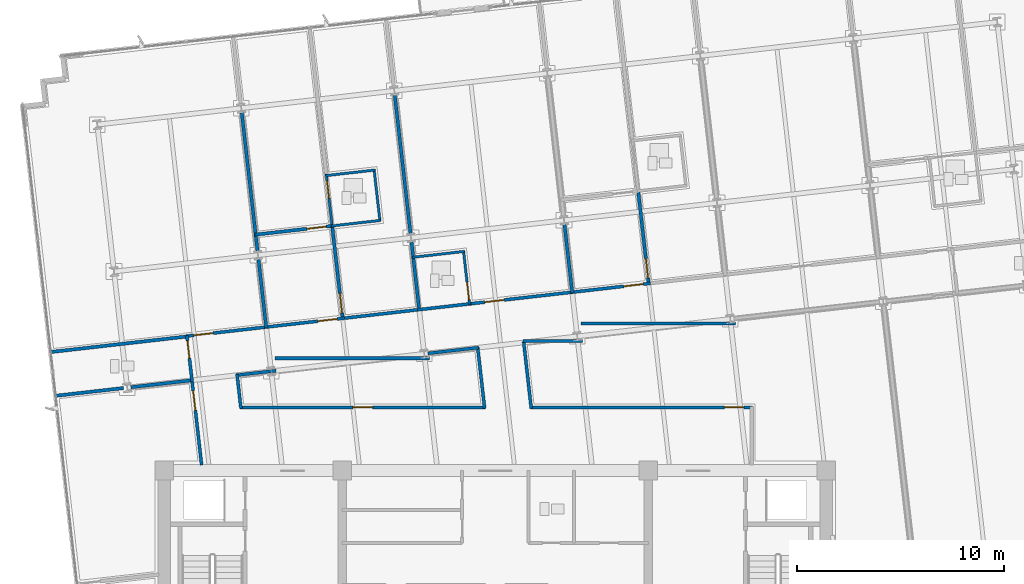
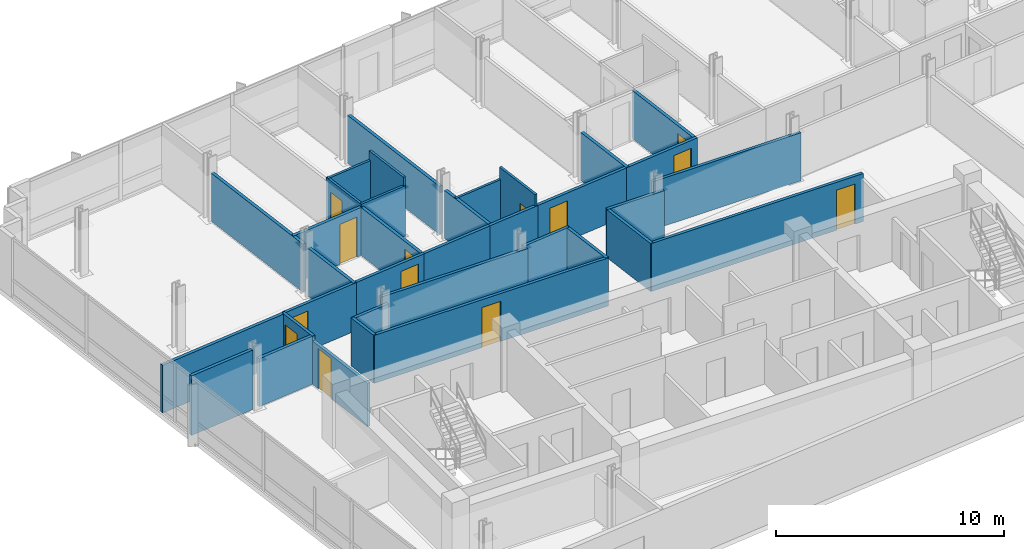
# One storey, part 9 of 16: 35 walls, 13 doors, 13 openings.
"""IFC4 building model written with IfcOpenShell, lengths in metres."""

from ifc_helpers import new_model, si_unit, direction, frame, frame_2d, origin, place, context, subcontext, project, spatial, rectangle, extrude, material, layer, layer_set, type_object, element, fill, save


model = new_model("IFC4")

# Units and contexts
model_context = context("Model", 3, precision=1e-05, world=origin(), true_north=direction((0.0, 1.0)))
body_context = subcontext(model_context, "Body", "Model", "MODEL_VIEW")
ifc_project = project(units=[si_unit("LENGTHUNIT", "METRE"), si_unit("AREAUNIT", "SQUARE_METRE"), si_unit("VOLUMEUNIT", "CUBIC_METRE"), si_unit("PLANEANGLEUNIT", "RADIAN"), si_unit("MASSUNIT", "GRAM", prefix="KILO")], contexts=[model_context])

# Site, building, storey
site_placement = place(None, origin())
site = spatial("IfcSite", under=ifc_project, at=site_placement, CompositionType="ELEMENT")
building_placement = place(site_placement, origin())
building = spatial("IfcBuilding", under=site, at=building_placement, Name="Solmavex Isthmus Hotel", CompositionType="ELEMENT")
storey_placement = place(building_placement, frame((0.0, 0.0, 205.5)))
storey = spatial("IfcBuildingStorey", under=building, at=storey_placement, Name="L55", CompositionType="ELEMENT", Elevation=205.5)

# Walls
ifc_material_1 = material(Name="Gypsum plasterboard lining", Category="gypsum")
ifc_layer_1 = layer(ifc_material_1, 0.159912109375)
ifc_layer_set_1 = layer_set([ifc_layer_1], Name="Gypsum plasterboard lining")
wall_type_1 = type_object("IfcWallType", Name="IW-COMP-160", PredefinedType="PARTITIONING", material=ifc_layer_set_1)
wall_1_placement = place(storey_placement, frame((-12.262939453125, 14.84326171875, 0.0), z_axis=(0.0, 0.0, 1.0), x_axis=(0.113177968069, -0.993574731736, 0.0)))
element("IfcWall", 1, at=wall_1_placement, inside=storey, type_object=wall_type_1, Name="Interior Partition Wall W-L55-P026", PredefinedType="PARTITIONING", context=body_context, shape_type="SweptSolid", body=[
    extrude(rectangle(XDim=6.79931640625, YDim=0.159912109375, at=frame_2d((3.399658203125, 0.0))), origin(), (0.0, 0.0, 1.0), 2.572265625),
])
wall_2_placement = place(storey_placement, frame((-11.453369140625, 7.737060546875, 0.0), z_axis=(0.0, 0.0, 1.0), x_axis=(0.113229088195, -0.993568907317, 0.0)))
element("IfcWall", 2, at=wall_2_placement, inside=storey, type_object=wall_type_1, Name="Interior Partition Wall W-L55-P027", PredefinedType="PARTITIONING", context=body_context, shape_type="SweptSolid", body=[
    extrude(rectangle(XDim=3.361572265625, YDim=0.159912109375, at=frame_2d((1.6806640625, 0.0))), origin(), (0.0, 0.0, 1.0), 2.572265625),
])
wall_3_placement = place(storey_placement, frame((-14.86865234375, 3.98486328125, 0.0), z_axis=(0.0, 0.0, 1.0), x_axis=(-0.993568743641, -0.113230524415, 0.0)))
element("IfcWall", 3, at=wall_3_placement, inside=storey, type_object=wall_type_1, Name="Interior Partition Wall W-L55-P029", PredefinedType="PARTITIONING", context=body_context, shape_type="SweptSolid", body=[
    extrude(rectangle(XDim=6.7099609375, YDim=0.159912109375, at=frame_2d((3.35498046875, 0.0))), origin(), (0.0, 0.0, 1.0), 2.5576171875),
])

# Wall, opening, door
wall_4_placement = place(storey_placement, frame((-11.626220703125, 8.9013671875, 0.0), z_axis=(0.0, 0.0, 1.0), x_axis=(0.993567388358, 0.113242416041, 0.0)))
wall_4 = element("IfcWall", 4, at=wall_4_placement, inside=storey, type_object=wall_type_1, Name="Interior Partition Wall W-L55-P030", PredefinedType="PARTITIONING", context=body_context, shape_type="SweptSolid", body=[
    extrude(rectangle(XDim=3.802978515625, YDim=0.159912109375, at=frame_2d((1.9013671875, 0.0))), origin(), (0.0, 0.0, 1.0), 2.572265625),
])
opening_1_placement = place(wall_4_placement, frame((2.52099609375, 0.0, 0.0)))
opening_1 = element("IfcOpeningElement", 5, at=opening_1_placement, cuts=wall_4, Name="Opening ID-C095", PredefinedType="OPENING", context=body_context, shape_type="SweptSolid", body=[
    extrude(rectangle(XDim=0.949951171875, YDim=2.14990234375, at=frame_2d((0.47509765625, 1.074951171875))), frame((0.0, 0.08984375, 0.0), z_axis=(0.0, -1.0, 0.0), x_axis=(1.0, 0.0, 0.0)), (0.0, 0.0, 1.0), 0.179931640625),
])
ifc_material_2 = material(Name="Hardwood timber", Category="wood")
door_type_1 = type_object("IfcDoorType", Name="IDR-FD60-0950", OperationType="NOTDEFINED", PredefinedType="DOOR", material=ifc_material_2)
door_1_placement = place(opening_1_placement, origin())
door_1 = element("IfcDoor", 6, at=door_1_placement, inside=storey, type_object=door_type_1, Name="Premier Hospitality Suite Master Bedroom Door L55-03", OperationType="SINGLE_SWING_LEFT", OverallHeight=2.14990234375, OverallWidth=0.949951171875, PredefinedType="DOOR", context=body_context, shape_type="SweptSolid", body=[
    extrude(rectangle(XDim=0.949951171875, YDim=2.14990234375, at=frame_2d((0.47509765625, 1.074951171875))), frame((0.0, 0.02490234375, 0.0), z_axis=(0.0, -1.0, 0.0), x_axis=(1.0, 0.0, 0.0)), (0.0, 0.0, 1.0), 0.050048828125),
])
fill(opening_1, door_1)

wall_5_placement = place(storey_placement, frame((-7.89208984375, 9.3671875, 0.0), z_axis=(0.0, 0.0, 1.0), x_axis=(0.113217200695, -0.993570261968, 0.0)))
wall_5 = element("IfcWall", 7, at=wall_5_placement, inside=storey, type_object=wall_type_1, Name="Interior Partition Wall W-L55-P031", PredefinedType="PARTITIONING", context=body_context, shape_type="SweptSolid", body=[
    extrude(rectangle(XDim=4.578125, YDim=0.159912109375, at=frame_2d((2.2890625, 0.0))), origin(), (0.0, 0.0, 1.0), 2.572265625),
])
opening_2_placement = place(wall_5_placement, frame((3.3251953125, 0.0, 0.0)))
opening_2 = element("IfcOpeningElement", 8, at=opening_2_placement, cuts=wall_5, Name="Opening ID-C095", PredefinedType="OPENING", context=body_context, shape_type="SweptSolid", body=[
    extrude(rectangle(XDim=0.949951171875, YDim=2.14990234375, at=frame_2d((0.47509765625, 1.074951171875))), frame((0.0, 0.08984375, 0.0), z_axis=(0.0, -1.0, 0.0), x_axis=(1.0, 0.0, 0.0)), (0.0, 0.0, 1.0), 0.179931640625),
])
door_2_placement = place(opening_2_placement, origin())
door_2 = element("IfcDoor", 9, at=door_2_placement, inside=storey, type_object=door_type_1, Name="Premier Hospitality Suite Living Lounge Door L55-04", OperationType="SINGLE_SWING_RIGHT", OverallHeight=2.14990234375, OverallWidth=0.949951171875, PredefinedType="DOOR", context=body_context, shape_type="SweptSolid", body=[
    extrude(rectangle(XDim=0.949951171875, YDim=2.14990234375, at=frame_2d((0.47509765625, 1.074951171875))), frame((0.0, 0.02490234375, 0.0), z_axis=(0.0, -1.0, 0.0), x_axis=(1.0, 0.0, 0.0)), (0.0, 0.0, 1.0), 0.050048828125),
])
fill(opening_2, door_2)

# Walls
wall_6_placement = place(storey_placement, frame((-4.864990234375, 15.68603515625, 0.0), z_axis=(0.0, 0.0, 1.0), x_axis=(0.11321341463, -0.993570693382, 0.0)))
element("IfcWall", 10, at=wall_6_placement, inside=storey, type_object=wall_type_1, Name="Interior Partition Wall W-L55-P038", PredefinedType="PARTITIONING", context=body_context, shape_type="SweptSolid", body=[
    extrude(rectangle(XDim=6.79931640625, YDim=0.159912109375, at=frame_2d((3.399658203125, 0.0))), origin(), (0.0, 0.0, 1.0), 2.572265625),
])
for number, where, z_axis, x_axis, name in (
    (11, (-4.05517578125, 8.580078125, 0.0), (0.0, 0.0, 1.0), (0.113149223935, -0.993578005555, 0.0), "Interior Partition Wall W-L55-P039"),
    (12, (3.3427734375, 9.4228515625, 0.0), (0.0, 0.0, 1.0), (0.113229088195, -0.993568907317, 0.0), "Interior Partition Wall W-L55-P043"),
):
    element("IfcWall", number, at=place(storey_placement, frame(where, z_axis=z_axis, x_axis=x_axis)), inside=storey, type_object=wall_type_1, Name=name, PredefinedType="PARTITIONING", context=body_context, shape_type="SweptSolid", body=[
        extrude(rectangle(XDim=3.361572265625, YDim=0.159912109375, at=frame_2d((1.6806640625, 0.0))), origin(), (0.0, 0.0, 1.0), 2.572265625),
    ])

# Wall, opening, door
wall_7_placement = place(storey_placement, frame((6.904296875, 11.052978515625, 0.0), z_axis=(0.0, 0.0, 1.0), x_axis=(0.113164554921, -0.993576259534, 0.0)))
wall_7 = element("IfcWall", 13, at=wall_7_placement, inside=storey, type_object=wall_type_1, Name="Interior Partition Wall W-L55-P046", PredefinedType="PARTITIONING", context=body_context, shape_type="SweptSolid", body=[
    extrude(rectangle(XDim=4.577880859375, YDim=0.159912109375, at=frame_2d((2.2890625, 0.0))), origin(), (0.0, 0.0, 1.0), 2.572265625),
])
opening_3_placement = place(wall_7_placement, frame((3.3251953125, 0.0, 0.0)))
opening_3 = element("IfcOpeningElement", 14, at=opening_3_placement, cuts=wall_7, Name="Opening ID-C095", PredefinedType="OPENING", context=body_context, shape_type="SweptSolid", body=[
    extrude(rectangle(XDim=0.949951171875, YDim=2.14990234375, at=frame_2d((0.47509765625, 1.074951171875))), frame((0.0, 0.08984375, 0.0), z_axis=(0.0, -1.0, 0.0), x_axis=(1.0, 0.0, 0.0)), (0.0, 0.0, 1.0), 0.179931640625),
])
door_3_placement = place(opening_3_placement, origin())
door_3 = element("IfcDoor", 15, at=door_3_placement, inside=storey, type_object=door_type_1, Name="Diplomatic Suite Living Lounge Door L55-10", OperationType="SINGLE_SWING_RIGHT", OverallHeight=2.14990234375, OverallWidth=0.949951171875, PredefinedType="DOOR", context=body_context, shape_type="SweptSolid", body=[
    extrude(rectangle(XDim=0.949951171875, YDim=2.14990234375, at=frame_2d((0.47509765625, 1.074951171875))), frame((0.0, 0.02490234375, 0.0), z_axis=(0.0, -1.0, 0.0), x_axis=(1.0, 0.0, 0.0)), (0.0, 0.0, 1.0), 0.050048828125),
])
fill(opening_3, door_3)

# Walls
wall_8_placement = place(storey_placement, frame((-17.97216796875, 1.4873046875, 0.0), z_axis=(0.0, 0.0, 1.0), x_axis=(-0.993575433752, -0.113171804991, 0.0)))
element("IfcWall", 16, at=wall_8_placement, inside=storey, type_object=wall_type_1, Name="Interior Partition Wall W-L55-P066", PredefinedType="PARTITIONING", context=body_context, shape_type="SweptSolid", body=[
    extrude(rectangle(XDim=3.34375, YDim=0.159912109375, at=frame_2d((1.671875, 0.0))), origin(), (0.0, 0.0, 1.0), 3.18994140625),
])
wall_9_placement = place(storey_placement, frame((-14.62744140625, 1.868408203125, 0.0), z_axis=(0.0, 0.0, 1.0), x_axis=(-0.993574646464, -0.113178716659, 0.0)))
element("IfcWall", 17, at=wall_9_placement, inside=storey, type_object=wall_type_1, Name="Interior Partition Wall W-L55-P067", PredefinedType="PARTITIONING", context=body_context, shape_type="SweptSolid", body=[
    extrude(rectangle(XDim=3.013427734375, YDim=0.159912109375, at=frame_2d((1.5068359375, 0.0))), origin(), (0.0, 0.0, 1.0), 2.572265625),
])

# Wall, opening, door
ifc_layer_2 = layer(ifc_material_1, 0.14990234375)
ifc_layer_set_2 = layer_set([ifc_layer_2], Name="Gypsum plasterboard lining")
wall_type_2 = type_object("IfcWallType", Name="IW-CORR-150", PredefinedType="PARTITIONING", material=ifc_layer_set_2)
wall_10_placement = place(storey_placement, frame((-14.950439453125, 3.99560546875, 0.0), z_axis=(0.0, 0.0, 1.0), x_axis=(0.993575504711, 0.11317118201, 0.0)))
wall_10 = element("IfcWall", 18, at=wall_10_placement, inside=storey, type_object=wall_type_2, Name="Interior Partition Wall W-L55-P001", PredefinedType="PARTITIONING", context=body_context, shape_type="SweptSolid", body=[
    extrude(rectangle(XDim=3.980224609375, YDim=0.14990234375, at=frame_2d((1.990234375, 0.0))), origin(), (0.0, 0.0, 1.0), 2.572265625),
])
opening_4_placement = place(wall_10_placement, frame((0.368408203125, 0.0, 0.0)))
opening_4 = element("IfcOpeningElement", 19, at=opening_4_placement, cuts=wall_10, Name="Opening ID-C095", PredefinedType="OPENING", context=body_context, shape_type="SweptSolid", body=[
    extrude(rectangle(XDim=0.949951171875, YDim=2.14990234375, at=frame_2d((0.47509765625, 1.074951171875))), frame((0.0, 0.0849609375, 0.0), z_axis=(0.0, -1.0, 0.0), x_axis=(1.0, 0.0, 0.0)), (0.0, 0.0, 1.0), 0.169921875),
])
door_4_placement = place(opening_4_placement, origin())
door_4 = element("IfcDoor", 20, at=door_4_placement, inside=storey, type_object=door_type_1, Name="Executive Hospitality Lounge Door L55-01", OperationType="SINGLE_SWING_LEFT", OverallHeight=2.14990234375, OverallWidth=0.949951171875, PredefinedType="DOOR", context=body_context, shape_type="SweptSolid", body=[
    extrude(rectangle(XDim=0.949951171875, YDim=2.14990234375, at=frame_2d((0.47509765625, 1.074951171875))), frame((0.0, 0.02490234375, 0.0), z_axis=(0.0, -1.0, 0.0), x_axis=(1.0, 0.0, 0.0)), (0.0, 0.0, 1.0), 0.050048828125),
])
fill(opening_4, door_4)

wall_11_placement = place(storey_placement, frame((-11.158935546875, 4.427490234375, 0.0), z_axis=(0.0, 0.0, 1.0), x_axis=(0.993567244528, 0.113243677975, 0.0)))
wall_11 = element("IfcWall", 21, at=wall_11_placement, inside=storey, type_object=wall_type_2, Name="Interior Partition Wall W-L55-P002", PredefinedType="PARTITIONING", context=body_context, shape_type="SweptSolid", body=[
    extrude(rectangle(XDim=3.886962890625, YDim=0.14990234375, at=frame_2d((1.943359375, 0.0))), origin(), (0.0, 0.0, 1.0), 2.572265625),
])
opening_5_placement = place(wall_11_placement, frame((2.587890625, 0.0, 0.0)))
opening_5 = element("IfcOpeningElement", 22, at=opening_5_placement, cuts=wall_11, Name="Opening ID-C095", PredefinedType="OPENING", context=body_context, shape_type="SweptSolid", body=[
    extrude(rectangle(XDim=0.949951171875, YDim=2.14990234375, at=frame_2d((0.47509765625, 1.074951171875))), frame((0.0, 0.0849609375, 0.0), z_axis=(0.0, -1.0, 0.0), x_axis=(1.0, 0.0, 0.0)), (0.0, 0.0, 1.0), 0.169921875),
])
door_5_placement = place(opening_5_placement, origin())
door_5 = element("IfcDoor", 23, at=door_5_placement, inside=storey, type_object=door_type_1, Name="Premier Hospitality Suite Entrance Hall Door L55-02", OperationType="SINGLE_SWING_RIGHT", OverallHeight=2.14990234375, OverallWidth=0.949951171875, PredefinedType="DOOR", context=body_context, shape_type="SweptSolid", body=[
    extrude(rectangle(XDim=0.949951171875, YDim=2.14990234375, at=frame_2d((0.47509765625, 1.074951171875))), frame((0.0, 0.02490234375, 0.0), z_axis=(0.0, -1.0, 0.0), x_axis=(1.0, 0.0, 0.0)), (0.0, 0.0, 1.0), 0.050048828125),
])
fill(opening_5, door_5)

# Wall
wall_12_placement = place(storey_placement, frame((-7.459716796875, 4.84912109375, 0.0), z_axis=(0.0, 0.0, 1.0), x_axis=(0.993573504889, 0.113188737881, 0.0)))
element("IfcWall", 24, at=wall_12_placement, inside=storey, type_object=wall_type_2, Name="Interior Partition Wall W-L55-P003", PredefinedType="PARTITIONING", context=body_context, shape_type="SweptSolid", body=[
    extrude(rectangle(XDim=3.88671875, YDim=0.14990234375, at=frame_2d((1.943359375, 0.0))), origin(), (0.0, 0.0, 1.0), 2.572265625),
])

# Wall, opening, door
wall_13_placement = place(storey_placement, frame((-1.326416015625, 5.5478515625, 0.0), z_axis=(0.0, 0.0, 1.0), x_axis=(0.993569374626, 0.113224987546, 0.0)))
wall_13 = element("IfcWall", 25, at=wall_13_placement, inside=storey, type_object=wall_type_2, Name="Interior Partition Wall W-L55-P004", PredefinedType="PARTITIONING", context=body_context, shape_type="SweptSolid", body=[
    extrude(rectangle(XDim=5.159912109375, YDim=0.14990234375, at=frame_2d((2.580078125, 0.0))), origin(), (0.0, 0.0, 1.0), 2.572265625),
])
opening_6_placement = place(wall_13_placement, frame((0.82470703125, 0.0, 0.0)))
opening_6 = element("IfcOpeningElement", 26, at=opening_6_placement, cuts=wall_13, Name="Opening ID-C095", PredefinedType="OPENING", context=body_context, shape_type="SweptSolid", body=[
    extrude(rectangle(XDim=0.949951171875, YDim=2.14990234375, at=frame_2d((0.47509765625, 1.074951171875))), frame((0.0, 0.0849609375, 0.0), z_axis=(0.0, -1.0, 0.0), x_axis=(1.0, 0.0, 0.0)), (0.0, 0.0, 1.0), 0.169921875),
])
door_6_placement = place(opening_6_placement, origin())
door_6 = element("IfcDoor", 27, at=door_6_placement, inside=storey, type_object=door_type_1, Name="Junior Suite Door L55-06", OperationType="SINGLE_SWING_RIGHT", OverallHeight=2.14990234375, OverallWidth=0.949951171875, PredefinedType="DOOR", context=body_context, shape_type="SweptSolid", body=[
    extrude(rectangle(XDim=0.949951171875, YDim=2.14990234375, at=frame_2d((0.47509765625, 1.074951171875))), frame((0.0, 0.02490234375, 0.0), z_axis=(0.0, -1.0, 0.0), x_axis=(1.0, 0.0, 0.0)), (0.0, 0.0, 1.0), 0.050048828125),
])
fill(opening_6, door_6)

# Wall
wall_14_placement = place(storey_placement, frame((-3.7607421875, 5.2705078125, 0.0), z_axis=(0.0, 0.0, 1.0), x_axis=(0.993572349416, 0.113198880193, 0.0)))
element("IfcWall", 28, at=wall_14_placement, inside=storey, type_object=wall_type_2, Name="Interior Partition Wall W-L55-P005", PredefinedType="PARTITIONING", context=body_context, shape_type="SweptSolid", body=[
    extrude(rectangle(XDim=2.614013671875, YDim=0.14990234375, at=frame_2d((1.30712890625, 0.0))), origin(), (0.0, 0.0, 1.0), 2.572265625),
])

# Wall, opening, door
wall_15_placement = place(storey_placement, frame((3.637451171875, 6.11328125, 0.0), z_axis=(0.0, 0.0, 1.0), x_axis=(0.993567244528, 0.113243677975, 0.0)))
wall_15 = element("IfcWall", 29, at=wall_15_placement, inside=storey, type_object=wall_type_2, Name="Interior Partition Wall W-L55-P006", PredefinedType="PARTITIONING", context=body_context, shape_type="SweptSolid", body=[
    extrude(rectangle(XDim=3.886962890625, YDim=0.14990234375, at=frame_2d((1.943359375, 0.0))), origin(), (0.0, 0.0, 1.0), 2.572265625),
])
opening_7_placement = place(wall_15_placement, frame((2.587890625, 0.0, 0.0)))
opening_7 = element("IfcOpeningElement", 30, at=opening_7_placement, cuts=wall_15, Name="Opening ID-C095", PredefinedType="OPENING", context=body_context, shape_type="SweptSolid", body=[
    extrude(rectangle(XDim=0.949951171875, YDim=2.14990234375, at=frame_2d((0.47509765625, 1.074951171875))), frame((0.0, 0.0849609375, 0.0), z_axis=(0.0, -1.0, 0.0), x_axis=(1.0, 0.0, 0.0)), (0.0, 0.0, 1.0), 0.169921875),
])
door_7_placement = place(opening_7_placement, origin())
door_7 = element("IfcDoor", 31, at=door_7_placement, inside=storey, type_object=door_type_1, Name="Diplomatic Suite Entrance Hall Door L55-08", OperationType="SINGLE_SWING_RIGHT", OverallHeight=2.14990234375, OverallWidth=0.949951171875, PredefinedType="DOOR", context=body_context, shape_type="SweptSolid", body=[
    extrude(rectangle(XDim=0.949951171875, YDim=2.14990234375, at=frame_2d((0.47509765625, 1.074951171875))), frame((0.0, 0.02490234375, 0.0), z_axis=(0.0, -1.0, 0.0), x_axis=(1.0, 0.0, 0.0)), (0.0, 0.0, 1.0), 0.050048828125),
])
fill(opening_7, door_7)

wall_16_placement = place(storey_placement, frame((-14.657958984375, 1.782470703125, 0.0), z_axis=(0.0, 0.0, 1.0), x_axis=(-0.113179685294, 0.993574536125, 0.0)))
wall_16 = element("IfcWall", 32, at=wall_16_placement, inside=storey, type_object=wall_type_2, Name="Interior Partition Wall W-L55-P010", PredefinedType="PARTITIONING", context=body_context, shape_type="SweptSolid", body=[
    extrude(rectangle(XDim=2.251953125, YDim=0.14990234375, at=frame_2d((1.1259765625, 0.0))), origin(), (0.0, 0.0, 1.0), 2.572265625),
])
opening_8_placement = place(wall_16_placement, frame((1.156982421875, 0.0, 0.0)))
opening_8 = element("IfcOpeningElement", 33, at=opening_8_placement, cuts=wall_16, Name="Opening ID-R085", PredefinedType="OPENING", context=body_context, shape_type="SweptSolid", body=[
    extrude(rectangle(XDim=0.85009765625, YDim=2.050048828125, at=frame_2d((0.425048828125, 1.02490234375))), frame((0.0, 0.0849609375, 0.0), z_axis=(0.0, -1.0, 0.0), x_axis=(1.0, 0.0, 0.0)), (0.0, 0.0, 1.0), 0.169921875),
])
ifc_material_3 = material(Name="Steel ASTM A500 Grade C", Category="steel")
door_type_2 = type_object("IfcDoorType", Name="IDR-FD60-0850", OperationType="NOTDEFINED", PredefinedType="DOOR", material=ifc_material_3)
door_8_placement = place(opening_8_placement, frame((0.85009765625, 0.0, 0.0), z_axis=(0.0, 0.0, 1.0), x_axis=(-1.0, 0.0, 0.0)))
door_8 = element("IfcDoor", 34, at=door_8_placement, inside=storey, type_object=door_type_2, Name="Accessible Public Restroom WC Door L55-17", OperationType="SINGLE_SWING_LEFT", OverallHeight=2.050048828125, OverallWidth=0.85009765625, PredefinedType="DOOR", context=body_context, shape_type="SweptSolid", body=[
    extrude(rectangle(XDim=0.85009765625, YDim=2.050048828125, at=frame_2d((0.425048828125, 1.02490234375))), frame((0.0, 0.02490234375, 0.0), z_axis=(0.0, -1.0, 0.0), x_axis=(1.0, 0.0, 0.0)), (0.0, 0.0, 1.0), 0.050048828125),
])
fill(opening_8, door_8)

# Walls
wall_17_placement = place(storey_placement, frame((-10.6064453125, 2.32666015625, 0.0), z_axis=(0.0, 0.0, 1.0), x_axis=(-0.993564486687, -0.113267871856, 0.0)))
element("IfcWall", 35, at=wall_17_placement, inside=storey, type_object=wall_type_2, Name="Interior Partition Wall W-L55-P012", PredefinedType="PARTITIONING", context=body_context, shape_type="SweptSolid", body=[
    extrude(rectangle(XDim=1.927001953125, YDim=0.14990234375, at=frame_2d((0.96337890625, 0.0))), origin(), (0.0, 0.0, 1.0), 2.572265625),
])
wall_18_placement = place(storey_placement, frame((-12.48583984375, 2.15283203125, 0.0), z_axis=(0.0, 0.0, 1.0), x_axis=(0.113121752139, -0.993581133674, 0.0)))
element("IfcWall", 36, at=wall_18_placement, inside=storey, type_object=wall_type_2, Name="Interior Partition Wall W-L55-P013", PredefinedType="PARTITIONING", context=body_context, shape_type="SweptSolid", body=[
    extrude(rectangle(XDim=1.653076171875, YDim=0.14990234375, at=frame_2d((0.82666015625, 0.0))), origin(), (0.0, 0.0, 1.0), 2.572265625),
])

# Wall, opening, door
wall_19_placement = place(storey_placement, frame((-12.34326171875, 0.550048828125, 0.0), z_axis=(0.0, 0.0, 1.0), x_axis=(1.0, 0.0, 0.0)))
wall_19 = element("IfcWall", 37, at=wall_19_placement, inside=storey, type_object=wall_type_2, Name="Interior Partition Wall W-L55-P014", PredefinedType="PARTITIONING", context=body_context, shape_type="SweptSolid", body=[
    extrude(rectangle(XDim=11.86279296875, YDim=0.14990234375, at=frame_2d((5.931396484375, 0.0))), origin(), (0.0, 0.0, 1.0), 2.572265625),
])
opening_9_placement = place(wall_19_placement, frame((5.456298828125, 0.0, 0.0)))
opening_9 = element("IfcOpeningElement", 38, at=opening_9_placement, cuts=wall_19, Name="Opening ID-C095", PredefinedType="OPENING", context=body_context, shape_type="SweptSolid", body=[
    extrude(rectangle(XDim=0.949951171875, YDim=2.14990234375, at=frame_2d((0.47509765625, 1.074951171875))), frame((0.0, 0.0849609375, 0.0), z_axis=(0.0, -1.0, 0.0), x_axis=(1.0, 0.0, 0.0)), (0.0, 0.0, 1.0), 0.169921875),
])
door_9_placement = place(opening_9_placement, origin())
door_9 = element("IfcDoor", 39, at=door_9_placement, inside=storey, type_object=door_type_1, Name="Service Kitchenette Door L55-19", OperationType="SINGLE_SWING_LEFT", OverallHeight=2.14990234375, OverallWidth=0.949951171875, PredefinedType="DOOR", context=body_context, shape_type="SweptSolid", body=[
    extrude(rectangle(XDim=0.949951171875, YDim=2.14990234375, at=frame_2d((0.47509765625, 1.074951171875))), frame((0.0, 0.02490234375, 0.0), z_axis=(0.0, -1.0, 0.0), x_axis=(1.0, 0.0, 0.0)), (0.0, 0.0, 1.0), 0.050048828125),
])
fill(opening_9, door_9)

# Walls
wall_20_placement = place(storey_placement, frame((-0.515869140625, 0.51025390625, 0.0), z_axis=(0.0, 0.0, 1.0), x_axis=(-0.113283799092, 0.993562670828, 0.0)))
element("IfcWall", 40, at=wall_20_placement, inside=storey, type_object=wall_type_2, Name="Interior Partition Wall W-L55-P015", PredefinedType="PARTITIONING", context=body_context, shape_type="SweptSolid", body=[
    extrude(rectangle(XDim=2.987060546875, YDim=0.14990234375, at=frame_2d((1.49365234375, 0.0))), origin(), (0.0, 0.0, 1.0), 2.572265625),
])
wall_21_placement = place(storey_placement, frame((-0.809814453125, 3.44287109375, 0.0), z_axis=(0.0, 0.0, 1.0), x_axis=(-0.993568355418, -0.113233930922, 0.0)))
element("IfcWall", 41, at=wall_21_placement, inside=storey, type_object=wall_type_2, Name="Interior Partition Wall W-L55-P016", PredefinedType="PARTITIONING", context=body_context, shape_type="SweptSolid", body=[
    extrude(rectangle(XDim=2.466552734375, YDim=0.14990234375, at=frame_2d((1.2333984375, 0.0))), origin(), (0.0, 0.0, 1.0), 2.572265625),
])
wall_22_placement = place(storey_placement, frame((-3.180908203125, 2.9287109375, 0.0), z_axis=(0.0, 0.0, 1.0), x_axis=(-1.0, 0.0, 0.0)))
element("IfcWall", 42, at=wall_22_placement, inside=storey, type_object=wall_type_2, Name="Interior Partition Wall W-L55-P017", PredefinedType="PARTITIONING", context=body_context, shape_type="SweptSolid", body=[
    extrude(rectangle(XDim=7.477783203125, YDim=0.14990234375, at=frame_2d((3.73876953125, 0.0))), origin(), (0.0, 0.0, 1.0), 2.572265625),
])

# Wall, opening, door
wall_23_placement = place(storey_placement, frame((-14.19970703125, -2.23974609375, 0.0), z_axis=(0.0, 0.0, 1.0), x_axis=(-0.11319839611, 0.993572404568, 0.0)))
wall_23 = element("IfcWall", 43, at=wall_23_placement, inside=storey, type_object=wall_type_2, Name="Interior Partition Wall W-L55-P018", PredefinedType="PARTITIONING", context=body_context, shape_type="SweptSolid", body=[
    extrude(rectangle(XDim=4.212158203125, YDim=0.14990234375, at=frame_2d((2.10595703125, 0.0))), origin(), (0.0, 0.0, 1.0), 2.324951171875),
])
opening_10_placement = place(wall_23_placement, frame((2.67236328125, 0.0, 0.0)))
opening_10 = element("IfcOpeningElement", 44, at=opening_10_placement, cuts=wall_23, Name="Opening ID-C095", PredefinedType="OPENING", context=body_context, shape_type="SweptSolid", body=[
    extrude(rectangle(XDim=0.949951171875, YDim=2.14990234375, at=frame_2d((0.47509765625, 1.074951171875))), frame((0.0, 0.0849609375, 0.0), z_axis=(0.0, -1.0, 0.0), x_axis=(1.0, 0.0, 0.0)), (0.0, 0.0, 1.0), 0.169921875),
])
door_10_placement = place(opening_10_placement, frame((0.949951171875, 0.0, 0.0), z_axis=(0.0, 0.0, 1.0), x_axis=(-1.0, 0.0, 0.0)))
door_10 = element("IfcDoor", 45, at=door_10_placement, inside=storey, type_object=door_type_1, Name="Protocol Boardroom Door L55-20", OperationType="SINGLE_SWING_RIGHT", OverallHeight=2.14990234375, OverallWidth=0.949951171875, PredefinedType="DOOR", context=body_context, shape_type="SweptSolid", body=[
    extrude(rectangle(XDim=0.949951171875, YDim=2.14990234375, at=frame_2d((0.47509765625, 1.074951171875))), frame((0.0, 0.02490234375, 0.0), z_axis=(0.0, -1.0, 0.0), x_axis=(1.0, 0.0, 0.0)), (0.0, 0.0, 1.0), 0.050048828125),
])
fill(opening_10, door_10)

# Walls
wall_24_placement = place(storey_placement, frame((11.615478515625, 4.614501953125, 0.0), z_axis=(0.0, 0.0, 1.0), x_axis=(-1.0, 0.0, 0.0)))
element("IfcWall", 46, at=wall_24_placement, inside=storey, type_object=wall_type_2, Name="Interior Partition Wall W-L55-P020", PredefinedType="PARTITIONING", context=body_context, shape_type="SweptSolid", body=[
    extrude(rectangle(XDim=7.47802734375, YDim=0.14990234375, at=frame_2d((3.739013671875, 0.0))), origin(), (0.0, 0.0, 1.0), 2.572265625),
])
wall_25_placement = place(storey_placement, frame((4.21728515625, 3.771484375, 0.0), z_axis=(0.0, 0.0, 1.0), x_axis=(-1.0, 0.0, 0.0)))
element("IfcWall", 47, at=wall_25_placement, inside=storey, type_object=wall_type_2, Name="Interior Partition Wall W-L55-P021", PredefinedType="PARTITIONING", context=body_context, shape_type="SweptSolid", body=[
    extrude(rectangle(XDim=2.881103515625, YDim=0.14990234375, at=frame_2d((1.4404296875, 0.0))), origin(), (0.0, 0.0, 1.0), 2.572265625),
])
wall_26_placement = place(storey_placement, frame((1.37158203125, 3.731689453125, 0.0), z_axis=(0.0, 0.0, 1.0), x_axis=(0.113174940517, -0.993575076599, 0.0)))
element("IfcWall", 48, at=wall_26_placement, inside=storey, type_object=wall_type_2, Name="Interior Partition Wall W-L55-P022", PredefinedType="PARTITIONING", context=body_context, shape_type="SweptSolid", body=[
    extrude(rectangle(XDim=3.2421875, YDim=0.14990234375, at=frame_2d((1.62109375, 0.0))), origin(), (0.0, 0.0, 1.0), 2.572265625),
])

# Wall, opening, door
wall_27_placement = place(storey_placement, frame((1.694091796875, 0.550048828125, 0.0), z_axis=(0.0, 0.0, 1.0), x_axis=(1.0, 0.0, 0.0)))
wall_27 = element("IfcWall", 49, at=wall_27_placement, inside=storey, type_object=wall_type_2, Name="Interior Partition Wall W-L55-P023", PredefinedType="PARTITIONING", context=body_context, shape_type="SweptSolid", body=[
    extrude(rectangle(XDim=10.745849609375, YDim=0.14990234375, at=frame_2d((5.373046875, 0.0))), origin(), (0.0, 0.0, 1.0), 2.572265625),
])
opening_11_placement = place(wall_27_placement, frame((9.377685546875, 0.0, 0.0)))
opening_11 = element("IfcOpeningElement", 50, at=opening_11_placement, cuts=wall_27, Name="Opening ID-C095", PredefinedType="OPENING", context=body_context, shape_type="SweptSolid", body=[
    extrude(rectangle(XDim=0.949951171875, YDim=2.14990234375, at=frame_2d((0.47509765625, 1.074951171875))), frame((0.0, 0.0849609375, 0.0), z_axis=(0.0, -1.0, 0.0), x_axis=(1.0, 0.0, 0.0)), (0.0, 0.0, 1.0), 0.169921875),
])
door_11_placement = place(opening_11_placement, frame((0.949951171875, 0.0, 0.0), z_axis=(0.0, 0.0, 1.0), x_axis=(-1.0, 0.0, 0.0)))
door_11 = element("IfcDoor", 51, at=door_11_placement, inside=storey, type_object=door_type_1, Name="Catering Servery Kitchen Door L55-23", OperationType="SINGLE_SWING_LEFT", OverallHeight=2.14990234375, OverallWidth=0.949951171875, PredefinedType="DOOR", context=body_context, shape_type="SweptSolid", body=[
    extrude(rectangle(XDim=0.949951171875, YDim=2.14990234375, at=frame_2d((0.47509765625, 1.074951171875))), frame((0.0, 0.02490234375, 0.0), z_axis=(0.0, -1.0, 0.0), x_axis=(1.0, 0.0, 0.0)), (0.0, 0.0, 1.0), 0.050048828125),
])
fill(opening_11, door_11)

ifc_layer_3 = layer(ifc_material_1, 0.1201171875)
ifc_layer_set_3 = layer_set([ifc_layer_3], Name="Gypsum plasterboard lining")
wall_type_3 = type_object("IfcWallType", Name="IW-PART-120", PredefinedType="PARTITIONING", material=ifc_layer_set_3)
wall_28_placement = place(storey_placement, frame((-8.174072265625, 11.843017578125, 0.0), z_axis=(0.0, 0.0, 1.0), x_axis=(0.11315036097, -0.993577876068, 0.0)))
wall_28 = element("IfcWall", 52, at=wall_28_placement, inside=storey, type_object=wall_type_3, Name="Interior Partition Wall W-L55-P033", PredefinedType="PARTITIONING", context=body_context, shape_type="SweptSolid", body=[
    extrude(rectangle(XDim=2.572021484375, YDim=0.1201171875, at=frame_2d((1.2861328125, 0.0))), origin(), (0.0, 0.0, 1.0), 2.718017578125),
])
opening_12_placement = place(wall_28_placement, frame((0.337646484375, 0.0, 0.0)))
opening_12 = element("IfcOpeningElement", 53, at=opening_12_placement, cuts=wall_28, Name="Opening ID-U085", PredefinedType="OPENING", context=body_context, shape_type="SweptSolid", body=[
    extrude(rectangle(XDim=0.85009765625, YDim=2.10009765625, at=frame_2d((0.425048828125, 1.050048828125))), frame((0.0, 0.070068359375, 0.0), z_axis=(0.0, -1.0, 0.0), x_axis=(1.0, 0.0, 0.0)), (0.0, 0.0, 1.0), 0.14013671875),
])
door_type_3 = type_object("IfcDoorType", Name="IDR-UNR-0850", OperationType="NOTDEFINED", PredefinedType="DOOR", material=ifc_material_2)
door_12_placement = place(opening_12_placement, origin())
door_12 = element("IfcDoor", 54, at=door_12_placement, inside=storey, type_object=door_type_3, Name="En-suite Bathroom Door L55-05", OperationType="SINGLE_SWING_LEFT", OverallHeight=2.10009765625, OverallWidth=0.85009765625, PredefinedType="DOOR", context=body_context, shape_type="SweptSolid", body=[
    extrude(rectangle(XDim=0.85009765625, YDim=2.10009765625, at=frame_2d((0.425048828125, 1.050048828125))), frame((0.0, 0.02490234375, 0.0), z_axis=(0.0, -1.0, 0.0), x_axis=(1.0, 0.0, 0.0)), (0.0, 0.0, 1.0), 0.050048828125),
])
fill(opening_12, door_12)

# Walls
wall_29_placement = place(storey_placement, frame((-7.92724609375, 9.32275390625, 0.0), z_axis=(0.0, 0.0, 1.0), x_axis=(0.993562439402, 0.11328582881, 0.0)))
element("IfcWall", 55, at=wall_29_placement, inside=storey, type_object=wall_type_3, Name="Interior Partition Wall W-L55-P034", PredefinedType="PARTITIONING", context=body_context, shape_type="SweptSolid", body=[
    extrude(rectangle(XDim=2.40283203125, YDim=0.1201171875, at=frame_2d((1.201416015625, 0.0))), origin(), (0.0, 0.0, 1.0), 2.718017578125),
])
wall_30_placement = place(storey_placement, frame((-5.574951171875, 9.550537109375, 0.0), z_axis=(0.0, 0.0, 1.0), x_axis=(-0.113184642947, 0.993573971379, 0.0)))
element("IfcWall", 56, at=wall_30_placement, inside=storey, type_object=wall_type_3, Name="Interior Partition Wall W-L55-P035", PredefinedType="PARTITIONING", context=body_context, shape_type="SweptSolid", body=[
    extrude(rectangle(XDim=2.5302734375, YDim=0.1201171875, at=frame_2d((1.26513671875, 0.0))), origin(), (0.0, 0.0, 1.0), 3.18994140625),
])
wall_31_placement = place(storey_placement, frame((-5.817138671875, 12.029052734375, 0.0), z_axis=(0.0, 0.0, 1.0), x_axis=(-0.993573870401, -0.113185529362, 0.0)))
element("IfcWall", 57, at=wall_31_placement, inside=storey, type_object=wall_type_3, Name="Interior Partition Wall W-L55-P036", PredefinedType="PARTITIONING", context=body_context, shape_type="SweptSolid", body=[
    extrude(rectangle(XDim=2.40283203125, YDim=0.1201171875, at=frame_2d((1.201416015625, 0.0))), origin(), (0.0, 0.0, 1.0), 2.718017578125),
])

# Wall, opening, door
wall_32_placement = place(storey_placement, frame((-1.240478515625, 5.517333984375, 0.0), z_axis=(0.0, 0.0, 1.0), x_axis=(-0.113161716754, 0.993576582786, 0.0)))
wall_32 = element("IfcWall", 58, at=wall_32_placement, inside=storey, type_object=wall_type_3, Name="Interior Partition Wall W-L55-P040", PredefinedType="PARTITIONING", context=body_context, shape_type="SweptSolid", body=[
    extrude(rectangle(XDim=2.6298828125, YDim=0.1201171875, at=frame_2d((1.31494140625, 0.0))), origin(), (0.0, 0.0, 1.0), 3.18994140625),
])
opening_13_placement = place(wall_32_placement, frame((0.247314453125, 0.0, 0.0)))
opening_13 = element("IfcOpeningElement", 59, at=opening_13_placement, cuts=wall_32, Name="Opening ID-U085", PredefinedType="OPENING", context=body_context, shape_type="SweptSolid", body=[
    extrude(rectangle(XDim=0.85009765625, YDim=2.10009765625, at=frame_2d((0.425048828125, 1.050048828125))), frame((0.0, 0.070068359375, 0.0), z_axis=(0.0, -1.0, 0.0), x_axis=(1.0, 0.0, 0.0)), (0.0, 0.0, 1.0), 0.14013671875),
])
door_13_placement = place(opening_13_placement, frame((0.85009765625, 0.0, 0.0), z_axis=(0.0, 0.0, 1.0), x_axis=(-1.0, 0.0, 0.0)))
door_13 = element("IfcDoor", 60, at=door_13_placement, inside=storey, type_object=door_type_3, Name="En-suite Bathroom Door L55-07", OperationType="SINGLE_SWING_LEFT", OverallHeight=2.10009765625, OverallWidth=0.85009765625, PredefinedType="DOOR", context=body_context, shape_type="SweptSolid", body=[
    extrude(rectangle(XDim=0.85009765625, YDim=2.10009765625, at=frame_2d((0.425048828125, 1.050048828125))), frame((0.0, 0.02490234375, 0.0), z_axis=(0.0, -1.0, 0.0), x_axis=(1.0, 0.0, 0.0)), (0.0, 0.0, 1.0), 0.050048828125),
])
fill(opening_13, door_13)

# Wall
wall_33_placement = place(storey_placement, frame((-1.493896484375, 8.09521484375, 0.0), z_axis=(0.0, 0.0, 1.0), x_axis=(-0.99357273507, -0.113195495167, 0.0)))
element("IfcWall", 61, at=wall_33_placement, inside=storey, type_object=wall_type_3, Name="Interior Partition Wall W-L55-P041", PredefinedType="PARTITIONING", context=body_context, shape_type="SweptSolid", body=[
    extrude(rectangle(XDim=2.530029296875, YDim=0.1201171875, at=frame_2d((1.26513671875, 0.0))), origin(), (0.0, 0.0, 1.0), 2.572265625),
])

save(model, "model.ifc")
